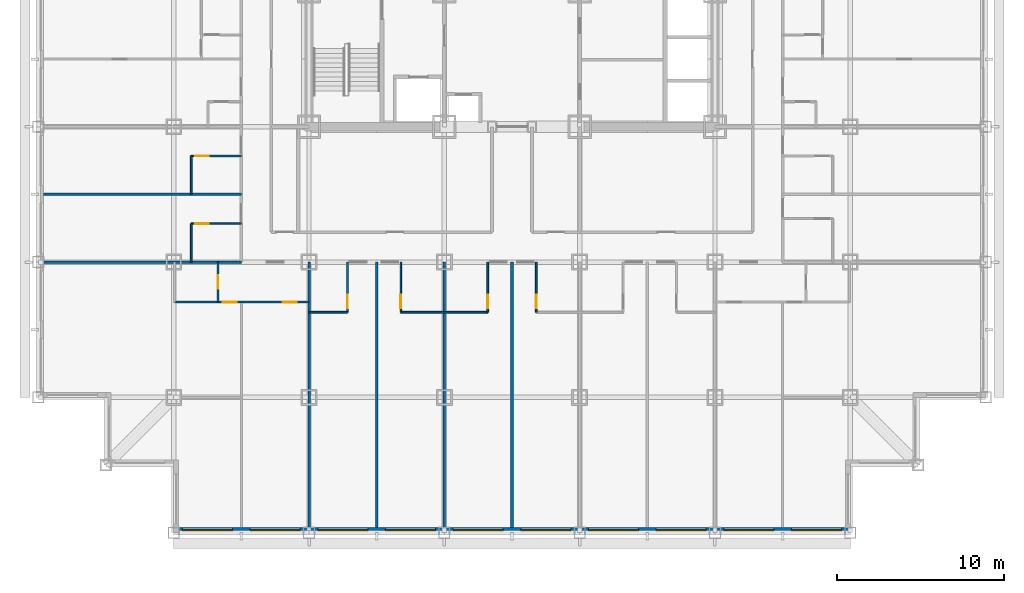
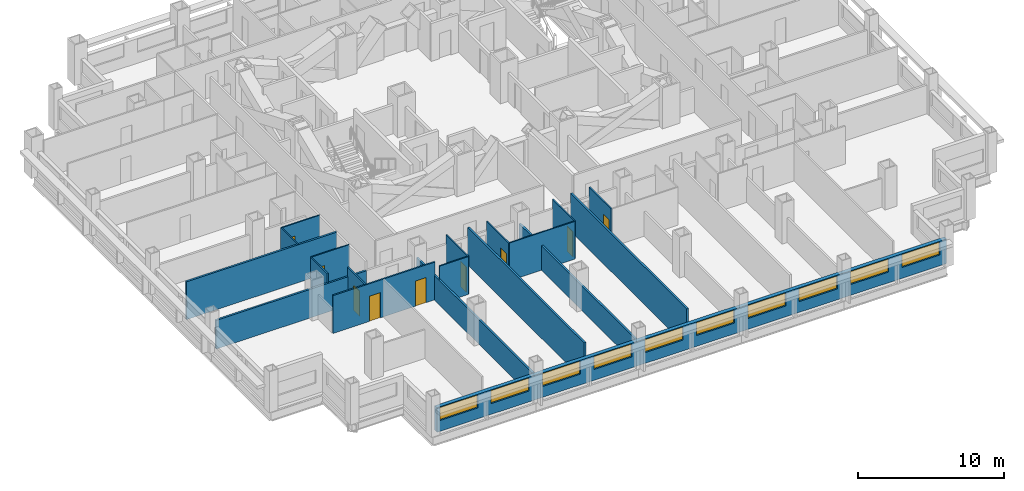
# One storey, part 4 of 12: 19 walls, 10 windows, 9 doors, 19 openings.
"""IFC4 building model written with IfcOpenShell, lengths in metres."""

from ifc_helpers import new_model, si_unit, direction, frame, frame_2d, origin, place, context, subcontext, project, spatial, rectangle, extrude, material, layer, layer_set, type_object, element, fill, save


model = new_model("IFC4")

# Units and contexts
model_context = context("Model", 3, precision=1e-05, world=origin(), true_north=direction((0.0, 1.0)))
body_context = subcontext(model_context, "Body", "Model", "MODEL_VIEW")
ifc_project = project(units=[si_unit("LENGTHUNIT", "METRE"), si_unit("AREAUNIT", "SQUARE_METRE"), si_unit("VOLUMEUNIT", "CUBIC_METRE"), si_unit("PLANEANGLEUNIT", "RADIAN"), si_unit("MASSUNIT", "GRAM", prefix="KILO")], contexts=[model_context])

# Site, building, storey
site_placement = place(None, origin())
site = spatial("IfcSite", under=ifc_project, at=site_placement, CompositionType="ELEMENT")
building_placement = place(site_placement, origin())
building = spatial("IfcBuilding", under=site, at=building_placement, Name="Kopane Lantern Tower", CompositionType="ELEMENT")
storey_placement = place(building_placement, frame((0.0, 0.0, 87.39990234375)))
storey = spatial("IfcBuildingStorey", under=building, at=storey_placement, Name="L22", CompositionType="ELEMENT", Elevation=87.39990234375)

# Wall, openings, doors
ifc_material_1 = material(Name="Gypsum board on steel studs", Category="steel")
ifc_layer_1 = layer(ifc_material_1, 0.1201171875)
ifc_layer_set_1 = layer_set([ifc_layer_1], Name="APARTMENT INTERNAL WALL 120")
wall_type_1 = type_object("IfcWallType", Name="APARTMENT INTERNAL WALL 120", PredefinedType="PARTITIONING", material=ifc_layer_set_1)
wall_1_placement = place(storey_placement, frame((8.14990234375, 13.800048828125, 0.0), z_axis=(0.0, 0.0, 1.0), x_axis=(1.0, 0.0, 0.0)))
wall_1 = element("IfcWall", 1, at=wall_1_placement, inside=storey, type_object=wall_type_1, Name="Apartment Internal Wall 120 L22", PredefinedType="PARTITIONING", context=body_context, shape_type="SweptSolid", body=[
    extrude(rectangle(XDim=8.050048828125, YDim=0.1201171875, at=frame_2d((4.02490234375, 0.0))), origin(), (0.0, 0.0, 1.0), 3.150146484375),
])
opening_1_placement = place(wall_1_placement, frame((6.47509765625, 0.0, 0.0)))
opening_1 = element("IfcOpeningElement", 2, at=opening_1_placement, cuts=wall_1, Name="Opening L22-058", PredefinedType="OPENING", context=body_context, shape_type="SweptSolid", body=[
    extrude(rectangle(XDim=0.85009765625, YDim=2.10009765625, at=frame_2d((0.425048828125, 1.050048828125))), frame((0.0, 0.070068359375, 0.0), z_axis=(0.0, -1.0, 0.0), x_axis=(1.0, 0.0, 0.0)), (0.0, 0.0, 1.0), 0.14013671875),
])
opening_2_placement = place(wall_1_placement, frame((2.875, 0.0, 0.0)))
opening_2 = element("IfcOpeningElement", 3, at=opening_2_placement, cuts=wall_1, Name="Opening L22-060", PredefinedType="OPENING", context=body_context, shape_type="SweptSolid", body=[
    extrude(rectangle(XDim=0.85009765625, YDim=2.10009765625, at=frame_2d((0.425048828125, 1.050048828125))), frame((0.0, 0.070068359375, 0.0), z_axis=(0.0, -1.0, 0.0), x_axis=(1.0, 0.0, 0.0)), (0.0, 0.0, 1.0), 0.14013671875),
])
ifc_material_2 = material(Name="Timber door set", Category="wood")
door_type_1 = type_object("IfcDoorType", Name="DOOR D4 850x2100", OperationType="SINGLE_SWING_LEFT", PredefinedType="DOOR", material=ifc_material_2)
door_1_placement = place(opening_1_placement, origin())
door_1 = element("IfcDoor", 4, at=door_1_placement, inside=storey, type_object=door_type_1, Name="Door L22-058", OperationType="SINGLE_SWING_RIGHT", OverallHeight=2.10009765625, OverallWidth=0.85009765625, PredefinedType="DOOR", context=body_context, shape_type="SweptSolid", body=[
    extrude(rectangle(XDim=0.85009765625, YDim=2.10009765625, at=frame_2d((0.425048828125, 1.050048828125))), frame((0.0, 0.02490234375, 0.0), z_axis=(0.0, -1.0, 0.0), x_axis=(1.0, 0.0, 0.0)), (0.0, 0.0, 1.0), 0.050048828125),
])
fill(opening_1, door_1)
door_2_placement = place(opening_2_placement, origin())
door_2 = element("IfcDoor", 5, at=door_2_placement, inside=storey, type_object=door_type_1, Name="Door L22-060", OperationType="SINGLE_SWING_LEFT", OverallHeight=2.10009765625, OverallWidth=0.85009765625, PredefinedType="DOOR", context=body_context, shape_type="SweptSolid", body=[
    extrude(rectangle(XDim=0.85009765625, YDim=2.10009765625, at=frame_2d((0.425048828125, 1.050048828125))), frame((0.0, 0.02490234375, 0.0), z_axis=(0.0, -1.0, 0.0), x_axis=(1.0, 0.0, 0.0)), (0.0, 0.0, 1.0), 0.050048828125),
])
fill(opening_2, door_2)

# Wall
ifc_material_3 = material(Name="Moisture-resistant board on steel studs", Category="steel")
ifc_layer_2 = layer(ifc_material_3, 0.10009765625)
ifc_layer_set_2 = layer_set([ifc_layer_2], Name="BATHROOM WALL 100")
wall_type_2 = type_object("IfcWallType", Name="BATHROOM WALL 100", PredefinedType="PARTITIONING", material=ifc_layer_set_2)
wall_2_placement = place(storey_placement, frame((16.199951171875, 13.199951171875, 0.0), z_axis=(0.0, 0.0, 1.0), x_axis=(1.0, 0.0, 0.0)))
element("IfcWall", 6, at=wall_2_placement, inside=storey, type_object=wall_type_2, Name="Bathroom Wall 100 L22", PredefinedType="PARTITIONING", context=body_context, shape_type="SweptSolid", body=[
    extrude(rectangle(XDim=2.300048828125, YDim=0.10009765625, at=frame_2d((1.14990234375, 0.0))), origin(), (0.0, 0.0, 1.0), 3.150146484375),
])

# Wall, opening, door
wall_3_placement = place(storey_placement, frame((18.5, 16.199951171875, 0.0), z_axis=(0.0, 0.0, 1.0), x_axis=(0.0, -1.0, 0.0)))
wall_3 = element("IfcWall", 7, at=wall_3_placement, inside=storey, type_object=wall_type_2, Name="Bathroom Wall 100 L22", PredefinedType="PARTITIONING", context=body_context, shape_type="SweptSolid", body=[
    extrude(rectangle(XDim=3.0, YDim=0.10009765625, at=frame_2d((1.5, 0.0))), origin(), (0.0, 0.0, 1.0), 3.150146484375),
])
opening_3_placement = place(wall_3_placement, frame((1.949951171875, 0.0, 0.0)))
opening_3 = element("IfcOpeningElement", 8, at=opening_3_placement, cuts=wall_3, Name="Opening L22-009", PredefinedType="OPENING", context=body_context, shape_type="SweptSolid", body=[
    extrude(rectangle(XDim=0.800048828125, YDim=2.10009765625, at=frame_2d((0.39990234375, 1.050048828125))), frame((0.0, 0.06005859375, 0.0), z_axis=(0.0, -1.0, 0.0), x_axis=(1.0, 0.0, 0.0)), (0.0, 0.0, 1.0), 0.1201171875),
])
ifc_material_4 = material(Name="Timber door set", Category="wood")
door_type_2 = type_object("IfcDoorType", Name="DOOR D2 800x2100", OperationType="SINGLE_SWING_LEFT", PredefinedType="DOOR", material=ifc_material_4)
door_3_placement = place(opening_3_placement, origin())
door_3 = element("IfcDoor", 9, at=door_3_placement, inside=storey, type_object=door_type_2, Name="Door L22-009", OperationType="SINGLE_SWING_LEFT", OverallHeight=2.10009765625, OverallWidth=0.800048828125, PredefinedType="DOOR", context=body_context, shape_type="SweptSolid", body=[
    extrude(rectangle(XDim=0.800048828125, YDim=2.10009765625, at=frame_2d((0.39990234375, 1.050048828125))), frame((0.0, 0.02490234375, 0.0), z_axis=(0.0, -1.0, 0.0), x_axis=(1.0, 0.0, 0.0)), (0.0, 0.0, 1.0), 0.050048828125),
])
fill(opening_3, door_3)

# Wall
wall_4_placement = place(storey_placement, frame((21.699951171875, 13.199951171875, 0.0), z_axis=(0.0, 0.0, 1.0), x_axis=(1.0, 0.0, 0.0)))
element("IfcWall", 10, at=wall_4_placement, inside=storey, type_object=wall_type_2, Name="Bathroom Wall 100 L22", PredefinedType="PARTITIONING", context=body_context, shape_type="SweptSolid", body=[
    extrude(rectangle(XDim=5.199951171875, YDim=0.10009765625, at=frame_2d((2.60009765625, 0.0))), origin(), (0.0, 0.0, 1.0), 3.150146484375),
])

# Wall, opening, door
wall_5_placement = place(storey_placement, frame((21.699951171875, 16.199951171875, 0.0), z_axis=(0.0, 0.0, 1.0), x_axis=(0.0, -1.0, 0.0)))
wall_5 = element("IfcWall", 11, at=wall_5_placement, inside=storey, type_object=wall_type_2, Name="Bathroom Wall 100 L22", PredefinedType="PARTITIONING", context=body_context, shape_type="SweptSolid", body=[
    extrude(rectangle(XDim=3.0, YDim=0.10009765625, at=frame_2d((1.5, 0.0))), origin(), (0.0, 0.0, 1.0), 3.150146484375),
])
opening_4_placement = place(wall_5_placement, frame((1.949951171875, 0.0, 0.0)))
opening_4 = element("IfcOpeningElement", 12, at=opening_4_placement, cuts=wall_5, Name="Opening L22-011", PredefinedType="OPENING", context=body_context, shape_type="SweptSolid", body=[
    extrude(rectangle(XDim=0.800048828125, YDim=2.10009765625, at=frame_2d((0.39990234375, 1.050048828125))), frame((0.0, 0.06005859375, 0.0), z_axis=(0.0, -1.0, 0.0), x_axis=(1.0, 0.0, 0.0)), (0.0, 0.0, 1.0), 0.1201171875),
])
door_4_placement = place(opening_4_placement, origin())
door_4 = element("IfcDoor", 13, at=door_4_placement, inside=storey, type_object=door_type_2, Name="Door L22-011", OperationType="SINGLE_SWING_RIGHT", OverallHeight=2.10009765625, OverallWidth=0.800048828125, PredefinedType="DOOR", context=body_context, shape_type="SweptSolid", body=[
    extrude(rectangle(XDim=0.800048828125, YDim=2.10009765625, at=frame_2d((0.39990234375, 1.050048828125))), frame((0.0, 0.02490234375, 0.0), z_axis=(0.0, -1.0, 0.0), x_axis=(1.0, 0.0, 0.0)), (0.0, 0.0, 1.0), 0.050048828125),
])
fill(opening_4, door_4)

wall_6_placement = place(storey_placement, frame((26.89990234375, 16.199951171875, 0.0), z_axis=(0.0, 0.0, 1.0), x_axis=(0.0, -1.0, 0.0)))
wall_6 = element("IfcWall", 14, at=wall_6_placement, inside=storey, type_object=wall_type_2, Name="Bathroom Wall 100 L22", PredefinedType="PARTITIONING", context=body_context, shape_type="SweptSolid", body=[
    extrude(rectangle(XDim=3.0, YDim=0.10009765625, at=frame_2d((1.5, 0.0))), origin(), (0.0, 0.0, 1.0), 3.150146484375),
])
opening_5_placement = place(wall_6_placement, frame((1.949951171875, 0.0, 0.0)))
opening_5 = element("IfcOpeningElement", 15, at=opening_5_placement, cuts=wall_6, Name="Opening L22-013", PredefinedType="OPENING", context=body_context, shape_type="SweptSolid", body=[
    extrude(rectangle(XDim=0.800048828125, YDim=2.10009765625, at=frame_2d((0.39990234375, 1.050048828125))), frame((0.0, 0.06005859375, 0.0), z_axis=(0.0, -1.0, 0.0), x_axis=(1.0, 0.0, 0.0)), (0.0, 0.0, 1.0), 0.1201171875),
])
door_5_placement = place(opening_5_placement, origin())
door_5 = element("IfcDoor", 16, at=door_5_placement, inside=storey, type_object=door_type_2, Name="Door L22-013", OperationType="SINGLE_SWING_LEFT", OverallHeight=2.10009765625, OverallWidth=0.800048828125, PredefinedType="DOOR", context=body_context, shape_type="SweptSolid", body=[
    extrude(rectangle(XDim=0.800048828125, YDim=2.10009765625, at=frame_2d((0.39990234375, 1.050048828125))), frame((0.0, 0.02490234375, 0.0), z_axis=(0.0, -1.0, 0.0), x_axis=(1.0, 0.0, 0.0)), (0.0, 0.0, 1.0), 0.050048828125),
])
fill(opening_5, door_5)

wall_7_placement = place(storey_placement, frame((29.800048828125, 16.199951171875, 0.0), z_axis=(0.0, 0.0, 1.0), x_axis=(0.0, -1.0, 0.0)))
wall_7 = element("IfcWall", 17, at=wall_7_placement, inside=storey, type_object=wall_type_2, Name="Bathroom Wall 100 L22", PredefinedType="PARTITIONING", context=body_context, shape_type="SweptSolid", body=[
    extrude(rectangle(XDim=3.0, YDim=0.10009765625, at=frame_2d((1.5, 0.0))), origin(), (0.0, 0.0, 1.0), 3.150146484375),
])
opening_6_placement = place(wall_7_placement, frame((1.949951171875, 0.0, 0.0)))
opening_6 = element("IfcOpeningElement", 18, at=opening_6_placement, cuts=wall_7, Name="Opening L22-015", PredefinedType="OPENING", context=body_context, shape_type="SweptSolid", body=[
    extrude(rectangle(XDim=0.800048828125, YDim=2.10009765625, at=frame_2d((0.39990234375, 1.050048828125))), frame((0.0, 0.06005859375, 0.0), z_axis=(0.0, -1.0, 0.0), x_axis=(1.0, 0.0, 0.0)), (0.0, 0.0, 1.0), 0.1201171875),
])
door_6_placement = place(opening_6_placement, origin())
door_6 = element("IfcDoor", 19, at=door_6_placement, inside=storey, type_object=door_type_2, Name="Door L22-015", OperationType="SINGLE_SWING_RIGHT", OverallHeight=2.10009765625, OverallWidth=0.800048828125, PredefinedType="DOOR", context=body_context, shape_type="SweptSolid", body=[
    extrude(rectangle(XDim=0.800048828125, YDim=2.10009765625, at=frame_2d((0.39990234375, 1.050048828125))), frame((0.0, 0.02490234375, 0.0), z_axis=(0.0, -1.0, 0.0), x_axis=(1.0, 0.0, 0.0)), (0.0, 0.0, 1.0), 0.050048828125),
])
fill(opening_6, door_6)

# Wall
wall_8_placement = place(storey_placement, frame((9.14990234375, 16.199951171875, 0.0), z_axis=(0.0, 0.0, 1.0), x_axis=(0.0, 1.0, 0.0)))
element("IfcWall", 20, at=wall_8_placement, inside=storey, type_object=wall_type_2, Name="Bathroom Wall 100 L22", PredefinedType="PARTITIONING", context=body_context, shape_type="SweptSolid", body=[
    extrude(rectangle(XDim=2.300048828125, YDim=0.10009765625, at=frame_2d((1.14990234375, 0.0))), origin(), (0.0, 0.0, 1.0), 3.150146484375),
])

# Wall, opening, door
wall_9_placement = place(storey_placement, frame((12.14990234375, 18.5, 0.0), z_axis=(0.0, 0.0, 1.0), x_axis=(-1.0, 0.0, 0.0)))
wall_9 = element("IfcWall", 21, at=wall_9_placement, inside=storey, type_object=wall_type_2, Name="Bathroom Wall 100 L22", PredefinedType="PARTITIONING", context=body_context, shape_type="SweptSolid", body=[
    extrude(rectangle(XDim=3.0, YDim=0.10009765625, at=frame_2d((1.5, 0.0))), origin(), (0.0, 0.0, 1.0), 3.150146484375),
])
opening_7_placement = place(wall_9_placement, frame((1.949951171875, 0.0, 0.0)))
opening_7 = element("IfcOpeningElement", 22, at=opening_7_placement, cuts=wall_9, Name="Opening L22-033", PredefinedType="OPENING", context=body_context, shape_type="SweptSolid", body=[
    extrude(rectangle(XDim=0.800048828125, YDim=2.10009765625, at=frame_2d((0.39990234375, 1.050048828125))), frame((0.0, 0.06005859375, 0.0), z_axis=(0.0, -1.0, 0.0), x_axis=(1.0, 0.0, 0.0)), (0.0, 0.0, 1.0), 0.1201171875),
])
door_7_placement = place(opening_7_placement, origin())
door_7 = element("IfcDoor", 23, at=door_7_placement, inside=storey, type_object=door_type_2, Name="Door L22-033", OperationType="SINGLE_SWING_RIGHT", OverallHeight=2.10009765625, OverallWidth=0.800048828125, PredefinedType="DOOR", context=body_context, shape_type="SweptSolid", body=[
    extrude(rectangle(XDim=0.800048828125, YDim=2.10009765625, at=frame_2d((0.39990234375, 1.050048828125))), frame((0.0, 0.02490234375, 0.0), z_axis=(0.0, -1.0, 0.0), x_axis=(1.0, 0.0, 0.0)), (0.0, 0.0, 1.0), 0.050048828125),
])
fill(opening_7, door_7)

# Wall
wall_10_placement = place(storey_placement, frame((9.14990234375, 20.25, 0.0), z_axis=(0.0, 0.0, 1.0), x_axis=(0.0, 1.0, 0.0)))
element("IfcWall", 24, at=wall_10_placement, inside=storey, type_object=wall_type_2, Name="Bathroom Wall 100 L22", PredefinedType="PARTITIONING", context=body_context, shape_type="SweptSolid", body=[
    extrude(rectangle(XDim=2.300048828125, YDim=0.10009765625, at=frame_2d((1.14990234375, 0.0))), origin(), (0.0, 0.0, 1.0), 3.150146484375),
])

# Wall, opening, door
wall_11_placement = place(storey_placement, frame((12.14990234375, 22.550048828125, 0.0), z_axis=(0.0, 0.0, 1.0), x_axis=(-1.0, 0.0, 0.0)))
wall_11 = element("IfcWall", 25, at=wall_11_placement, inside=storey, type_object=wall_type_2, Name="Bathroom Wall 100 L22", PredefinedType="PARTITIONING", context=body_context, shape_type="SweptSolid", body=[
    extrude(rectangle(XDim=3.0, YDim=0.10009765625, at=frame_2d((1.5, 0.0))), origin(), (0.0, 0.0, 1.0), 3.150146484375),
])
opening_8_placement = place(wall_11_placement, frame((1.949951171875, 0.0, 0.0)))
opening_8 = element("IfcOpeningElement", 26, at=opening_8_placement, cuts=wall_11, Name="Opening L22-035", PredefinedType="OPENING", context=body_context, shape_type="SweptSolid", body=[
    extrude(rectangle(XDim=0.800048828125, YDim=2.10009765625, at=frame_2d((0.39990234375, 1.050048828125))), frame((0.0, 0.06005859375, 0.0), z_axis=(0.0, -1.0, 0.0), x_axis=(1.0, 0.0, 0.0)), (0.0, 0.0, 1.0), 0.1201171875),
])
door_8_placement = place(opening_8_placement, origin())
door_8 = element("IfcDoor", 27, at=door_8_placement, inside=storey, type_object=door_type_2, Name="Door L22-035", OperationType="SINGLE_SWING_RIGHT", OverallHeight=2.10009765625, OverallWidth=0.800048828125, PredefinedType="DOOR", context=body_context, shape_type="SweptSolid", body=[
    extrude(rectangle(XDim=0.800048828125, YDim=2.10009765625, at=frame_2d((0.39990234375, 1.050048828125))), frame((0.0, 0.02490234375, 0.0), z_axis=(0.0, -1.0, 0.0), x_axis=(1.0, 0.0, 0.0)), (0.0, 0.0, 1.0), 0.050048828125),
])
fill(opening_8, door_8)

wall_12_placement = place(storey_placement, frame((10.75, 16.199951171875, 0.0), z_axis=(0.0, 0.0, 1.0), x_axis=(0.0, -1.0, 0.0)))
wall_12 = element("IfcWall", 28, at=wall_12_placement, inside=storey, type_object=wall_type_2, Name="Bathroom Wall 100 L22", PredefinedType="PARTITIONING", context=body_context, shape_type="SweptSolid", body=[
    extrude(rectangle(XDim=2.39990234375, YDim=0.10009765625, at=frame_2d((1.199951171875, 0.0))), origin(), (0.0, 0.0, 1.0), 3.150146484375),
])
opening_9_placement = place(wall_12_placement, frame((0.800048828125, 0.0, 0.0)))
opening_9 = element("IfcOpeningElement", 29, at=opening_9_placement, cuts=wall_12, Name="Opening L22-059", PredefinedType="OPENING", context=body_context, shape_type="SweptSolid", body=[
    extrude(rectangle(XDim=0.800048828125, YDim=2.10009765625, at=frame_2d((0.39990234375, 1.050048828125))), frame((0.0, 0.06005859375, 0.0), z_axis=(0.0, -1.0, 0.0), x_axis=(1.0, 0.0, 0.0)), (0.0, 0.0, 1.0), 0.1201171875),
])
door_9_placement = place(opening_9_placement, origin())
door_9 = element("IfcDoor", 30, at=door_9_placement, inside=storey, type_object=door_type_2, Name="Door L22-059", OperationType="SINGLE_SWING_RIGHT", OverallHeight=2.10009765625, OverallWidth=0.800048828125, PredefinedType="DOOR", context=body_context, shape_type="SweptSolid", body=[
    extrude(rectangle(XDim=0.800048828125, YDim=2.10009765625, at=frame_2d((0.39990234375, 1.050048828125))), frame((0.0, 0.02490234375, 0.0), z_axis=(0.0, -1.0, 0.0), x_axis=(1.0, 0.0, 0.0)), (0.0, 0.0, 1.0), 0.050048828125),
])
fill(opening_9, door_9)

# Walls
ifc_material_5 = material(Name="Gypsum board on steel studs", Category="steel")
ifc_layer_3 = layer(ifc_material_5, 0.14990234375)
ifc_layer_set_3 = layer_set([ifc_layer_3], Name="DEMISING WALL 150 EI 60")
wall_type_3 = type_object("IfcWallType", Name="DEMISING WALL 150 EI 60", PredefinedType="PARTITIONING", material=ifc_layer_set_3)
wall_13_placement = place(storey_placement, frame((20.25, 16.199951171875, 0.0), z_axis=(0.0, 0.0, 1.0), x_axis=(0.0, -1.0, 0.0)))
element("IfcWall", 31, at=wall_13_placement, inside=storey, type_object=wall_type_3, Name="Demising Wall 150 Ei 60 L22", PredefinedType="PARTITIONING", context=body_context, shape_type="SweptSolid", body=[
    extrude(rectangle(XDim=15.89990234375, YDim=0.14990234375, at=frame_2d((7.949951171875, 0.0))), origin(), (0.0, 0.0, 1.0), 3.150146484375),
])
wall_14_placement = place(storey_placement, frame((24.300048828125, 16.199951171875, 0.0), z_axis=(0.0, 0.0, 1.0), x_axis=(0.0, -1.0, 0.0)))
element("IfcWall", 32, at=wall_14_placement, inside=storey, type_object=wall_type_3, Name="Demising Wall 150 Ei 60 L22", PredefinedType="PARTITIONING", context=body_context, shape_type="SweptSolid", body=[
    extrude(rectangle(XDim=15.89990234375, YDim=0.14990234375, at=frame_2d((7.949951171875, 0.0))), origin(), (0.0, 0.0, 1.0), 2.050048828125),
])
wall_15_placement = place(storey_placement, frame((28.35009765625, 16.199951171875, 0.0), z_axis=(0.0, 0.0, 1.0), x_axis=(0.0, -1.0, 0.0)))
element("IfcWall", 33, at=wall_15_placement, inside=storey, type_object=wall_type_3, Name="Demising Wall 150 Ei 60 L22", PredefinedType="PARTITIONING", context=body_context, shape_type="SweptSolid", body=[
    extrude(rectangle(XDim=15.89990234375, YDim=0.14990234375, at=frame_2d((7.949951171875, 0.0))), origin(), (0.0, 0.0, 1.0), 3.150146484375),
])
wall_16_placement = place(storey_placement, frame((12.14990234375, 20.25, 0.0), z_axis=(0.0, 0.0, 1.0), x_axis=(-1.0, 0.0, 0.0)))
element("IfcWall", 34, at=wall_16_placement, inside=storey, type_object=wall_type_3, Name="Demising Wall 150 Ei 60 L22", PredefinedType="PARTITIONING", context=body_context, shape_type="SweptSolid", body=[
    extrude(rectangle(XDim=11.849853515625, YDim=0.14990234375, at=frame_2d((5.9248046875, 0.0))), origin(), (0.0, 0.0, 1.0), 3.150146484375),
])
wall_17_placement = place(storey_placement, frame((0.300048828125, 16.199951171875, 0.0), z_axis=(0.0, 0.0, 1.0), x_axis=(1.0, 0.0, 0.0)))
element("IfcWall", 35, at=wall_17_placement, inside=storey, type_object=wall_type_3, Name="Demising Wall 150 Ei 60 L22", PredefinedType="PARTITIONING", context=body_context, shape_type="SweptSolid", body=[
    extrude(rectangle(XDim=11.849853515625, YDim=0.14990234375, at=frame_2d((5.9248046875, 0.0))), origin(), (0.0, 0.0, 1.0), 2.387939453125),
])
wall_18_placement = place(storey_placement, frame((16.199951171875, 16.199951171875, 0.0), z_axis=(0.0, 0.0, 1.0), x_axis=(0.0, -1.0, 0.0)))
element("IfcWall", 36, at=wall_18_placement, inside=storey, type_object=wall_type_3, Name="Demising Wall 150 Ei 60 L22", PredefinedType="PARTITIONING", context=body_context, shape_type="SweptSolid", body=[
    extrude(rectangle(XDim=15.89990234375, YDim=0.14990234375, at=frame_2d((7.949951171875, 0.0))), origin(), (0.0, 0.0, 1.0), 2.050048828125),
])

# Wall, openings, windows
ifc_material_6 = material(Name="Terracotta rainscreen on light steel framing", Category="masonry")
ifc_layer_4 = layer(ifc_material_6, 0.300048828125)
ifc_layer_set_4 = layer_set([ifc_layer_4], Name="EXTERNAL WALL EW1 300 TERRACOTTA")
wall_type_4 = type_object("IfcWallType", Name="EXTERNAL WALL EW1 300 TERRACOTTA", PredefinedType="SOLIDWALL", material=ifc_layer_set_4)
wall_19_placement = place(storey_placement, frame((8.39990234375, 0.14990234375, 0.0), z_axis=(0.0, 0.0, 1.0), x_axis=(1.0, 0.0, 0.0)))
wall_19 = element("IfcWall", 37, at=wall_19_placement, inside=storey, type_object=wall_type_4, Name="External wall S L22", PredefinedType="SOLIDWALL", context=body_context, shape_type="SweptSolid", body=[
    extrude(rectangle(XDim=40.2001953125, YDim=0.300048828125, at=frame_2d((20.10009765625, 0.0))), origin(), (0.0, 0.0, 1.0), 2.050048828125),
])
opening_10_placement = place(wall_19_placement, frame((0.22509765625, 0.0, 0.89990234375)))
opening_10 = element("IfcOpeningElement", 38, at=opening_10_placement, cuts=wall_19, Name="Opening WR300110", PredefinedType="OPENING", context=body_context, shape_type="SweptSolid", body=[
    extrude(rectangle(XDim=3.0, YDim=1.10009765625, at=frame_2d((1.5, 0.550048828125))), frame((0.0, 0.159912109375, 0.0), z_axis=(0.0, -1.0, 0.0), x_axis=(1.0, 0.0, 0.0)), (0.0, 0.0, 1.0), 0.320068359375),
])
opening_11_placement = place(wall_19_placement, frame((4.27490234375, 0.0, 0.89990234375)))
opening_11 = element("IfcOpeningElement", 39, at=opening_11_placement, cuts=wall_19, Name="Opening WR300110", PredefinedType="OPENING", context=body_context, shape_type="SweptSolid", body=[
    extrude(rectangle(XDim=3.0, YDim=1.10009765625, at=frame_2d((1.5, 0.550048828125))), frame((0.0, 0.159912109375, 0.0), z_axis=(0.0, -1.0, 0.0), x_axis=(1.0, 0.0, 0.0)), (0.0, 0.0, 1.0), 0.320068359375),
])
opening_12_placement = place(wall_19_placement, frame((8.324951171875, 0.0, 0.89990234375)))
opening_12 = element("IfcOpeningElement", 40, at=opening_12_placement, cuts=wall_19, Name="Opening WR300110", PredefinedType="OPENING", context=body_context, shape_type="SweptSolid", body=[
    extrude(rectangle(XDim=3.0, YDim=1.10009765625, at=frame_2d((1.5, 0.550048828125))), frame((0.0, 0.159912109375, 0.0), z_axis=(0.0, -1.0, 0.0), x_axis=(1.0, 0.0, 0.0)), (0.0, 0.0, 1.0), 0.320068359375),
])
opening_13_placement = place(wall_19_placement, frame((12.375, 0.0, 0.89990234375)))
opening_13 = element("IfcOpeningElement", 41, at=opening_13_placement, cuts=wall_19, Name="Opening WR300110", PredefinedType="OPENING", context=body_context, shape_type="SweptSolid", body=[
    extrude(rectangle(XDim=3.0, YDim=1.10009765625, at=frame_2d((1.5, 0.550048828125))), frame((0.0, 0.159912109375, 0.0), z_axis=(0.0, -1.0, 0.0), x_axis=(1.0, 0.0, 0.0)), (0.0, 0.0, 1.0), 0.320068359375),
])
opening_14_placement = place(wall_19_placement, frame((16.425048828125, 0.0, 0.89990234375)))
opening_14 = element("IfcOpeningElement", 42, at=opening_14_placement, cuts=wall_19, Name="Opening WR300110", PredefinedType="OPENING", context=body_context, shape_type="SweptSolid", body=[
    extrude(rectangle(XDim=3.0, YDim=1.10009765625, at=frame_2d((1.5, 0.550048828125))), frame((0.0, 0.159912109375, 0.0), z_axis=(0.0, -1.0, 0.0), x_axis=(1.0, 0.0, 0.0)), (0.0, 0.0, 1.0), 0.320068359375),
])
opening_15_placement = place(wall_19_placement, frame((20.47509765625, 0.0, 0.89990234375)))
opening_15 = element("IfcOpeningElement", 43, at=opening_15_placement, cuts=wall_19, Name="Opening WR300110", PredefinedType="OPENING", context=body_context, shape_type="SweptSolid", body=[
    extrude(rectangle(XDim=3.0, YDim=1.10009765625, at=frame_2d((1.5, 0.550048828125))), frame((0.0, 0.159912109375, 0.0), z_axis=(0.0, -1.0, 0.0), x_axis=(1.0, 0.0, 0.0)), (0.0, 0.0, 1.0), 0.320068359375),
])
opening_16_placement = place(wall_19_placement, frame((24.52490234375, 0.0, 0.89990234375)))
opening_16 = element("IfcOpeningElement", 44, at=opening_16_placement, cuts=wall_19, Name="Opening WR300110", PredefinedType="OPENING", context=body_context, shape_type="SweptSolid", body=[
    extrude(rectangle(XDim=3.0, YDim=1.10009765625, at=frame_2d((1.5, 0.550048828125))), frame((0.0, 0.159912109375, 0.0), z_axis=(0.0, -1.0, 0.0), x_axis=(1.0, 0.0, 0.0)), (0.0, 0.0, 1.0), 0.320068359375),
])
opening_17_placement = place(wall_19_placement, frame((28.574951171875, 0.0, 0.89990234375)))
opening_17 = element("IfcOpeningElement", 45, at=opening_17_placement, cuts=wall_19, Name="Opening WR300110", PredefinedType="OPENING", context=body_context, shape_type="SweptSolid", body=[
    extrude(rectangle(XDim=3.0, YDim=1.10009765625, at=frame_2d((1.5, 0.550048828125))), frame((0.0, 0.159912109375, 0.0), z_axis=(0.0, -1.0, 0.0), x_axis=(1.0, 0.0, 0.0)), (0.0, 0.0, 1.0), 0.320068359375),
])
opening_18_placement = place(wall_19_placement, frame((32.625, 0.0, 0.89990234375)))
opening_18 = element("IfcOpeningElement", 46, at=opening_18_placement, cuts=wall_19, Name="Opening WR300110", PredefinedType="OPENING", context=body_context, shape_type="SweptSolid", body=[
    extrude(rectangle(XDim=3.0, YDim=1.10009765625, at=frame_2d((1.5, 0.550048828125))), frame((0.0, 0.159912109375, 0.0), z_axis=(0.0, -1.0, 0.0), x_axis=(1.0, 0.0, 0.0)), (0.0, 0.0, 1.0), 0.320068359375),
])
opening_19_placement = place(wall_19_placement, frame((36.675048828125, 0.0, 0.89990234375)))
opening_19 = element("IfcOpeningElement", 47, at=opening_19_placement, cuts=wall_19, Name="Opening WR300110", PredefinedType="OPENING", context=body_context, shape_type="SweptSolid", body=[
    extrude(rectangle(XDim=3.0, YDim=1.10009765625, at=frame_2d((1.5, 0.550048828125))), frame((0.0, 0.159912109375, 0.0), z_axis=(0.0, -1.0, 0.0), x_axis=(1.0, 0.0, 0.0)), (0.0, 0.0, 1.0), 0.320068359375),
])
ifc_material_7 = material(Name="Aluminium and clear glass", Category="aluminium")
window_type = type_object("IfcWindowType", Name="RIBBON WINDOW WR300110 3000x1100", PartitioningType="SINGLE_PANEL", PredefinedType="WINDOW", material=ifc_material_7)
window_1_placement = place(opening_10_placement, origin())
window_1 = element("IfcWindow", 48, at=window_1_placement, inside=storey, type_object=window_type, Name="Window S L22", OverallHeight=1.10009765625, OverallWidth=3.0, PartitioningType="SINGLE_PANEL", PredefinedType="WINDOW", context=body_context, shape_type="SweptSolid", body=[
    extrude(rectangle(XDim=3.0, YDim=1.10009765625, at=frame_2d((1.5, 0.550048828125))), frame((0.0, 0.030029296875, 0.0), z_axis=(0.0, -1.0, 0.0), x_axis=(1.0, 0.0, 0.0)), (0.0, 0.0, 1.0), 0.06005859375),
])
fill(opening_10, window_1)
window_2_placement = place(opening_11_placement, origin())
window_2 = element("IfcWindow", 49, at=window_2_placement, inside=storey, type_object=window_type, Name="Window S L22", OverallHeight=1.10009765625, OverallWidth=3.0, PartitioningType="SINGLE_PANEL", PredefinedType="WINDOW", context=body_context, shape_type="SweptSolid", body=[
    extrude(rectangle(XDim=3.0, YDim=1.10009765625, at=frame_2d((1.5, 0.550048828125))), frame((0.0, 0.030029296875, 0.0), z_axis=(0.0, -1.0, 0.0), x_axis=(1.0, 0.0, 0.0)), (0.0, 0.0, 1.0), 0.06005859375),
])
fill(opening_11, window_2)
window_3_placement = place(opening_12_placement, origin())
window_3 = element("IfcWindow", 50, at=window_3_placement, inside=storey, type_object=window_type, Name="Window S L22", OverallHeight=1.10009765625, OverallWidth=3.0, PartitioningType="SINGLE_PANEL", PredefinedType="WINDOW", context=body_context, shape_type="SweptSolid", body=[
    extrude(rectangle(XDim=3.0, YDim=1.10009765625, at=frame_2d((1.5, 0.550048828125))), frame((0.0, 0.030029296875, 0.0), z_axis=(0.0, -1.0, 0.0), x_axis=(1.0, 0.0, 0.0)), (0.0, 0.0, 1.0), 0.06005859375),
])
fill(opening_12, window_3)
window_4_placement = place(opening_13_placement, origin())
window_4 = element("IfcWindow", 51, at=window_4_placement, inside=storey, type_object=window_type, Name="Window S L22", OverallHeight=1.10009765625, OverallWidth=3.0, PartitioningType="SINGLE_PANEL", PredefinedType="WINDOW", context=body_context, shape_type="SweptSolid", body=[
    extrude(rectangle(XDim=3.0, YDim=1.10009765625, at=frame_2d((1.5, 0.550048828125))), frame((0.0, 0.030029296875, 0.0), z_axis=(0.0, -1.0, 0.0), x_axis=(1.0, 0.0, 0.0)), (0.0, 0.0, 1.0), 0.06005859375),
])
fill(opening_13, window_4)
window_5_placement = place(opening_14_placement, origin())
window_5 = element("IfcWindow", 52, at=window_5_placement, inside=storey, type_object=window_type, Name="Window S L22", OverallHeight=1.10009765625, OverallWidth=3.0, PartitioningType="SINGLE_PANEL", PredefinedType="WINDOW", context=body_context, shape_type="SweptSolid", body=[
    extrude(rectangle(XDim=3.0, YDim=1.10009765625, at=frame_2d((1.5, 0.550048828125))), frame((0.0, 0.030029296875, 0.0), z_axis=(0.0, -1.0, 0.0), x_axis=(1.0, 0.0, 0.0)), (0.0, 0.0, 1.0), 0.06005859375),
])
fill(opening_14, window_5)
window_6_placement = place(opening_15_placement, origin())
window_6 = element("IfcWindow", 53, at=window_6_placement, inside=storey, type_object=window_type, Name="Window S L22", OverallHeight=1.10009765625, OverallWidth=3.0, PartitioningType="SINGLE_PANEL", PredefinedType="WINDOW", context=body_context, shape_type="SweptSolid", body=[
    extrude(rectangle(XDim=3.0, YDim=1.10009765625, at=frame_2d((1.5, 0.550048828125))), frame((0.0, 0.030029296875, 0.0), z_axis=(0.0, -1.0, 0.0), x_axis=(1.0, 0.0, 0.0)), (0.0, 0.0, 1.0), 0.06005859375),
])
fill(opening_15, window_6)
window_7_placement = place(opening_16_placement, origin())
window_7 = element("IfcWindow", 54, at=window_7_placement, inside=storey, type_object=window_type, Name="Window S L22", OverallHeight=1.10009765625, OverallWidth=3.0, PartitioningType="SINGLE_PANEL", PredefinedType="WINDOW", context=body_context, shape_type="SweptSolid", body=[
    extrude(rectangle(XDim=3.0, YDim=1.10009765625, at=frame_2d((1.5, 0.550048828125))), frame((0.0, 0.030029296875, 0.0), z_axis=(0.0, -1.0, 0.0), x_axis=(1.0, 0.0, 0.0)), (0.0, 0.0, 1.0), 0.06005859375),
])
fill(opening_16, window_7)
window_8_placement = place(opening_17_placement, origin())
window_8 = element("IfcWindow", 55, at=window_8_placement, inside=storey, type_object=window_type, Name="Window S L22", OverallHeight=1.10009765625, OverallWidth=3.0, PartitioningType="SINGLE_PANEL", PredefinedType="WINDOW", context=body_context, shape_type="SweptSolid", body=[
    extrude(rectangle(XDim=3.0, YDim=1.10009765625, at=frame_2d((1.5, 0.550048828125))), frame((0.0, 0.030029296875, 0.0), z_axis=(0.0, -1.0, 0.0), x_axis=(1.0, 0.0, 0.0)), (0.0, 0.0, 1.0), 0.06005859375),
])
fill(opening_17, window_8)
window_9_placement = place(opening_18_placement, origin())
window_9 = element("IfcWindow", 56, at=window_9_placement, inside=storey, type_object=window_type, Name="Window S L22", OverallHeight=1.10009765625, OverallWidth=3.0, PartitioningType="SINGLE_PANEL", PredefinedType="WINDOW", context=body_context, shape_type="SweptSolid", body=[
    extrude(rectangle(XDim=3.0, YDim=1.10009765625, at=frame_2d((1.5, 0.550048828125))), frame((0.0, 0.030029296875, 0.0), z_axis=(0.0, -1.0, 0.0), x_axis=(1.0, 0.0, 0.0)), (0.0, 0.0, 1.0), 0.06005859375),
])
fill(opening_18, window_9)
window_10_placement = place(opening_19_placement, origin())
window_10 = element("IfcWindow", 57, at=window_10_placement, inside=storey, type_object=window_type, Name="Window S L22", OverallHeight=1.10009765625, OverallWidth=3.0, PartitioningType="SINGLE_PANEL", PredefinedType="WINDOW", context=body_context, shape_type="SweptSolid", body=[
    extrude(rectangle(XDim=3.0, YDim=1.10009765625, at=frame_2d((1.5, 0.550048828125))), frame((0.0, 0.030029296875, 0.0), z_axis=(0.0, -1.0, 0.0), x_axis=(1.0, 0.0, 0.0)), (0.0, 0.0, 1.0), 0.06005859375),
])
fill(opening_19, window_10)

save(model, "model.ifc")
